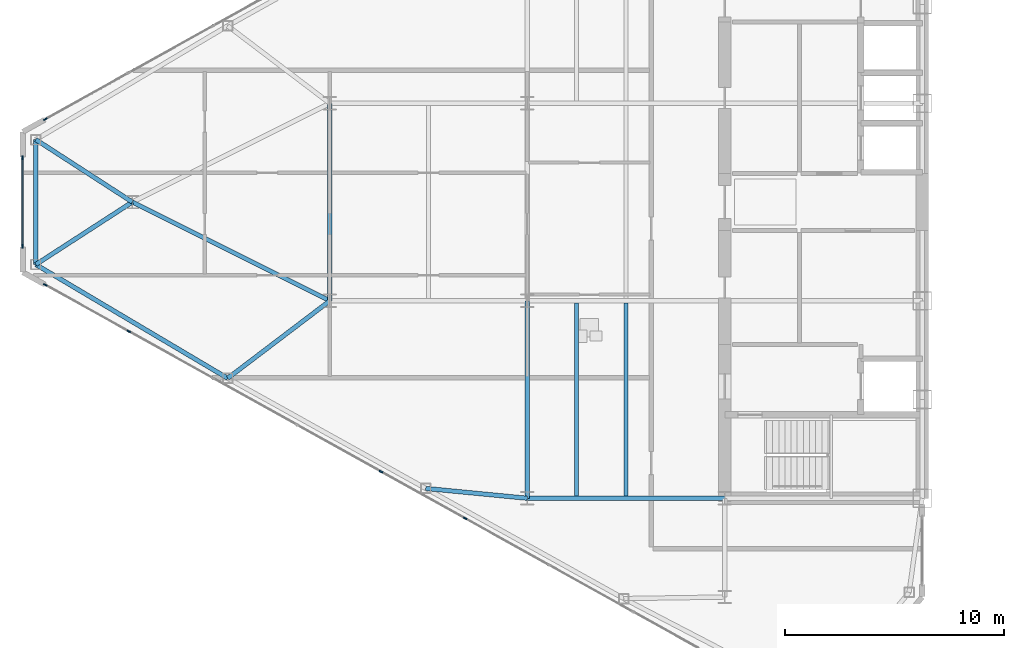
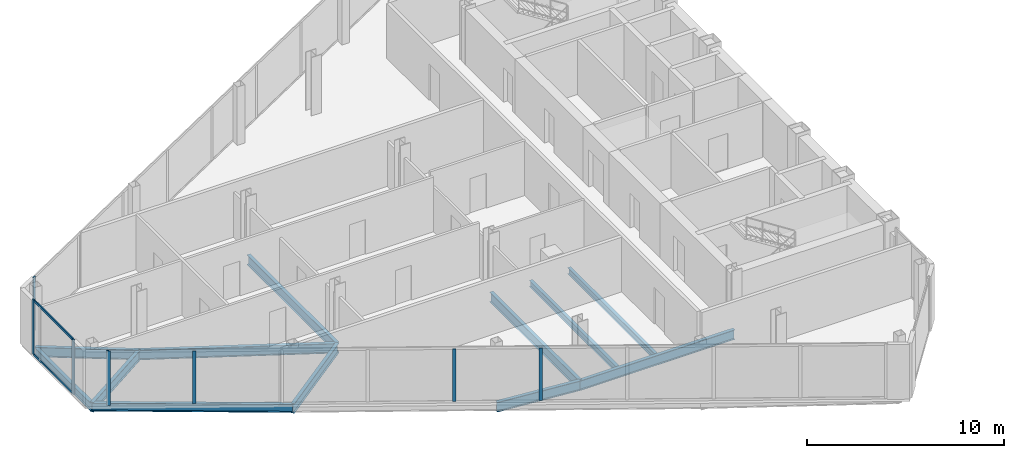
# One storey, part 5 of 26: 12 beams, 9 members, 3 elements without a shape of their own.
"""IFC4 building model written with IfcOpenShell, lengths in metres."""

from ifc_helpers import new_model, si_unit, direction, frame, origin, origin_2d, place, context, subcontext, project, spatial, rectangle, i_section, extrude, source, transform, mapped, material, layer, layer_set, material_profile, profile_set, type_object, type_shapes, element, aggregate, save


model = new_model("IFC4")

# Units and contexts
model_context = context("Model", 3, precision=1e-05, world=origin(), true_north=direction((0.0, 1.0)))
body_context = subcontext(model_context, "Body", "Model", "MODEL_VIEW")
ifc_project = project(units=[si_unit("LENGTHUNIT", "METRE"), si_unit("AREAUNIT", "SQUARE_METRE"), si_unit("VOLUMEUNIT", "CUBIC_METRE"), si_unit("PLANEANGLEUNIT", "RADIAN"), si_unit("MASSUNIT", "GRAM", prefix="KILO")], contexts=[model_context])

# Site, building, storey
site_placement = place(None, origin())
site = spatial("IfcSite", under=ifc_project, at=site_placement, CompositionType="ELEMENT")
building_placement = place(site_placement, origin())
building = spatial("IfcBuilding", under=site, at=building_placement, Name="Seokmaru Belvedere", CompositionType="ELEMENT")
storey_placement = place(building_placement, frame((0.0, 0.0, 170.699951171875)))
storey = spatial("IfcBuildingStorey", under=building, at=storey_placement, Name="L45", CompositionType="ELEMENT", Elevation=170.699951171875)

# Beams
ifc_material_1 = material(Name="Steel SM355 (355 MPa)", Category="steel")
ifc_material_profile_1 = material_profile(ifc_material_1, i_section(OverallWidth=0.199951171875, OverallDepth=0.60009765625, WebThickness=0.010986328125, FlangeThickness=0.01708984375, at=origin_2d()), Name="H-600x200x11x17")
ifc_profile_set_1 = profile_set([ifc_material_profile_1], Name="Steel SM355 (355 MPa)")
beam_type_1 = type_object("IfcBeamType", Name="Primary Floor Girder H-600", PredefinedType="BEAM", material=ifc_profile_set_1)
shared_shape_1 = source(origin(), body_context, "Body", "SweptSolid", [
    extrude(i_section(OverallWidth=0.199951171875, OverallDepth=0.60009765625, WebThickness=0.010986328125, FlangeThickness=0.01708984375, at=origin_2d()), origin(), (0.0, 0.0, 1.0), 9.0),
])
for number, where, z_axis, x_axis, name in (
    (1, (-45.5, -13.5, -0.52001953125), (0.0, 1.0, 0.0), (-1.0, 0.0, 0.0), "L45 W Interior Grid Girder 1"),
    (2, (-45.5, -13.5, -0.52001953125), (1.0, 0.0, 0.0), (0.0, 1.0, 0.0), "L45 W Wing Primary Girder 1"),
    (3, (-54.5, -4.5, -0.52001953125), (0.0, 1.0, 0.0), (-1.0, 0.0, 0.0), "L45 W Apex Frame Girder"),
):
    element("IfcBeam", number, at=place(storey_placement, frame(where, z_axis=z_axis, x_axis=x_axis)), inside=storey, type_object=beam_type_1, Name=name, PredefinedType="BEAM", context=body_context, shape_type="MappedRepresentation", body=[
        mapped(shared_shape_1, transform((0.0, 0.0, 0.0), scale=1.0)),
    ])
shared_shape_2 = source(origin(), body_context, "Body", "SweptSolid", [
    extrude(i_section(OverallWidth=0.199951171875, OverallDepth=0.60009765625, WebThickness=0.010986328125, FlangeThickness=0.01708984375, at=origin_2d()), origin(), (0.0, 0.0, 1.0), 10.062255859375),
])
beam_1_placement = place(storey_placement, frame((-54.5, -4.5, -0.52001953125), z_axis=(-0.894427191, 0.4472135955, 0.0), x_axis=(-0.4472135955, -0.894427191, 0.0)))
element("IfcBeam", 4, at=beam_1_placement, inside=storey, type_object=beam_type_1, Name="L45 W Apex Converging Girder 1", PredefinedType="BEAM", context=body_context, shape_type="MappedRepresentation", body=[
    mapped(shared_shape_2, transform((0.0, 0.0, 0.0), scale=1.0)),
])
ifc_material_profile_2 = material_profile(ifc_material_1, i_section(OverallWidth=0.18505859375, OverallDepth=0.389892578125, WebThickness=0.008056640625, FlangeThickness=0.011962890625, at=origin_2d()), Name="H-390x185x8x12")
ifc_profile_set_2 = profile_set([ifc_material_profile_2], Name="Steel SM355 (355 MPa)")
beam_type_2 = type_object("IfcBeamType", Name="Secondary Floor Joist H-350", PredefinedType="JOIST", material=ifc_profile_set_2)
shared_shape_3 = source(origin(), body_context, "Body", "SweptSolid", [
    extrude(i_section(OverallWidth=0.18505859375, OverallDepth=0.389892578125, WebThickness=0.008056640625, FlangeThickness=0.011962890625, at=origin_2d()), origin(), (0.0, 0.0, 1.0), 8.7900390625),
])
type_shapes(beam_type_2, [shared_shape_3])
for number, where, z_axis, x_axis, name in (
    (5, (-43.25, -13.39501953125, -0.4150390625), (0.0, 1.0, 0.0), (-1.0, 0.0, 0.0), "L45 W Wing Inner Secondary Joist 1"),
    (6, (-41.0, -13.39501953125, -0.4150390625), (0.0, 1.0, 0.0), (-1.0, 0.0, 0.0), "L45 W Secondary Floor Joist 1"),
):
    element("IfcBeam", number, at=place(storey_placement, frame(where, z_axis=z_axis, x_axis=x_axis)), inside=storey, type_object=beam_type_2, Name=name, PredefinedType="JOIST", context=body_context, shape_type="MappedRepresentation", body=[
        mapped(shared_shape_3, transform((0.0, 0.0, 0.0), scale=1.0)),
    ])
ifc_material_profile_3 = material_profile(ifc_material_1, i_section(OverallWidth=0.199951171875, OverallDepth=0.5, WebThickness=0.010009765625, FlangeThickness=0.01611328125, at=origin_2d()), Name="H-500x200x10x16")
ifc_profile_set_3 = profile_set([ifc_material_profile_3], Name="Steel SM355 (355 MPa)")
beam_type_3 = type_object("IfcBeamType", Name="Perimeter Spandrel Beam H-500", PredefinedType="SPANDREL", material=ifc_profile_set_3)
shared_shape_4 = source(origin(), body_context, "Body", "SweptSolid", [
    extrude(i_section(OverallWidth=0.199951171875, OverallDepth=0.5, WebThickness=0.010009765625, FlangeThickness=0.01611328125, at=origin_2d()), origin(), (0.0, 0.0, 1.0), 10.16650390625),
])
beam_2_placement = place(storey_placement, frame((-59.154541015625, -8.031494140625, -0.469970703125), z_axis=(-0.860209996506, 0.509939959124, 0.0), x_axis=(-0.509939959124, -0.860209996506, 0.0)))
element("IfcBeam", 7, at=beam_2_placement, inside=storey, type_object=beam_type_3, Name="L45 W Faceted Flank Spandrel S-4", PredefinedType="SPANDREL", context=body_context, shape_type="MappedRepresentation", body=[
    mapped(shared_shape_4, transform((0.0, 0.0, 0.0), scale=1.0)),
])
shared_shape_5 = source(origin(), body_context, "Body", "SweptSolid", [
    extrude(i_section(OverallWidth=0.199951171875, OverallDepth=0.5, WebThickness=0.010009765625, FlangeThickness=0.01611328125, at=origin_2d()), origin(), (0.0, 0.0, 1.0), 5.6943359375),
])
type_shapes(beam_type_3, [shared_shape_4, shared_shape_5])
beam_3_placement = place(storey_placement, frame((-67.89990234375, -2.84716796875, -0.469970703125), z_axis=(0.0, 1.0, 0.0), x_axis=(-1.0, 0.0, 0.0)))
element("IfcBeam", 8, at=beam_3_placement, inside=storey, type_object=beam_type_3, Name="L45 W Faceted Apex Spandrel", PredefinedType="SPANDREL", context=body_context, shape_type="MappedRepresentation", body=[
    mapped(shared_shape_5, transform((0.0, 0.0, 0.0), scale=1.0)),
])
shared_shape_6 = source(origin(), body_context, "Body", "SweptSolid", [
    extrude(i_section(OverallWidth=0.199951171875, OverallDepth=0.60009765625, WebThickness=0.010986328125, FlangeThickness=0.01708984375, at=origin_2d()), origin(), (0.0, 0.0, 1.0), 4.65087890625),
])
beam_4_placement = place(storey_placement, frame((-50.129150390625, -13.051025390625, -0.52001953125), z_axis=(0.995329534874, -0.09653557379, 0.0), x_axis=(0.09653557379, 0.995329534874, 0.0)))
element("IfcBeam", 9, at=beam_4_placement, inside=storey, type_object=beam_type_1, Name="L45 W Flank Radial Floor Girder S-2", PredefinedType="BEAM", context=body_context, shape_type="MappedRepresentation", body=[
    mapped(shared_shape_6, transform((0.0, 0.0, 0.0), scale=1.0)),
])
shared_shape_7 = source(origin(), body_context, "Body", "SweptSolid", [
    extrude(i_section(OverallWidth=0.199951171875, OverallDepth=0.60009765625, WebThickness=0.010986328125, FlangeThickness=0.01708984375, at=origin_2d()), origin(), (0.0, 0.0, 1.0), 5.842529296875),
])
beam_5_placement = place(storey_placement, frame((-59.154541015625, -8.031494140625, -0.52001953125), z_axis=(0.796653109879, 0.604436781243, 0.0), x_axis=(-0.604436781243, 0.796653109879, 0.0)))
element("IfcBeam", 10, at=beam_5_placement, inside=storey, type_object=beam_type_1, Name="L45 W Flank Radial Floor Girder S-3", PredefinedType="BEAM", context=body_context, shape_type="MappedRepresentation", body=[
    mapped(shared_shape_7, transform((0.0, 0.0, 0.0), scale=1.0)),
])
shared_shape_8 = source(origin(), body_context, "Body", "SweptSolid", [
    extrude(i_section(OverallWidth=0.199951171875, OverallDepth=0.60009765625, WebThickness=0.010986328125, FlangeThickness=0.01708984375, at=origin_2d()), origin(), (0.0, 0.0, 1.0), 5.24072265625),
])
type_shapes(beam_type_1, [shared_shape_1, shared_shape_2, shared_shape_6, shared_shape_7, shared_shape_8])
for number, where, z_axis, x_axis, name in (
    (11, (-67.89990234375, -2.84716796875, -0.52001953125), (0.839555158729, 0.543274456836, 0.0), (-0.543274456836, 0.839555158729, 0.0), "L45 W Apex Radial Floor Girder 1"),
    (12, (-67.89990234375, 2.84716796875, -0.52001953125), (0.839555158729, -0.543274456836, 0.0), (0.543274456836, 0.839555158729, 0.0), "L45 W Apex Radial Floor Girder 2"),
):
    element("IfcBeam", number, at=place(storey_placement, frame(where, z_axis=z_axis, x_axis=x_axis)), inside=storey, type_object=beam_type_1, Name=name, PredefinedType="BEAM", context=body_context, shape_type="MappedRepresentation", body=[
        mapped(shared_shape_8, transform((0.0, 0.0, 0.0), scale=1.0)),
    ])

# Curtain wall, members
ifc_material_2 = material(Name="Bronze Triple Insulating Glass", Category="glass")
ifc_layer = layer(ifc_material_2, 0.179931640625)
ifc_layer_set = layer_set([ifc_layer], Name="Bronze Triple Insulating Glass")
curtain_wall_type = type_object("IfcCurtainWallType", Name="High-Rise Wind-Corner Curtain Wall System CW-5", PredefinedType="NOTDEFINED", material=ifc_layer_set)
curtain_wall_1_placement = place(storey_placement, origin())
curtain_wall_1 = element("IfcCurtainWall", 13, at=curtain_wall_1_placement, inside=storey, type_object=curtain_wall_type, Name="L45 Curtain Wall WF4", PredefinedType="NOTDEFINED")
ifc_material_3 = material(Name="Anodised Bronze Aluminium", Category="aluminium")
ifc_material_profile_4 = material_profile(ifc_material_3, rectangle(XDim=0.06494140625, YDim=0.14990234375, at=origin_2d()), Name="CW-T-65x150")
ifc_profile_set_4 = profile_set([ifc_material_profile_4], Name="Anodised Bronze Aluminium")
member_type_1 = type_object("IfcMemberType", Name="Bronze Unitised Transom 65x150", PredefinedType="USERDEFINED", material=ifc_profile_set_4)
shared_shape_9 = source(origin(), body_context, "Body", "SweptSolid", [
    extrude(rectangle(XDim=0.06494140625, YDim=0.14990234375, at=origin_2d()), origin(), (0.0, 0.0, 1.0), 3.97021484375),
])
type_shapes(member_type_1, [shared_shape_9])
member_1_placement = place(storey_placement, frame((-68.5, 1.985107421875, 0.032470703125), z_axis=(0.0, -1.0, 0.0), x_axis=(1.0, 0.0, 0.0)))
member_1 = element("IfcMember", 14, at=member_1_placement, type_object=member_type_1, Name="CW:L45:WF4 Continuous Transom 1", ObjectType="TRANSOM", PredefinedType="USERDEFINED", context=body_context, shape_type="MappedRepresentation", body=[
    mapped(shared_shape_9, transform((0.0, 0.0, 0.0), scale=1.0)),
])
member_2_placement = place(storey_placement, frame((-68.5, 1.985107421875, 3.34765625), z_axis=(0.0, -1.0, 0.0), x_axis=(1.0, 0.0, 0.0)))
member_2 = element("IfcMember", 15, at=member_2_placement, type_object=member_type_1, Name="CW:L45:WF4 Continuous Transom 2", ObjectType="TRANSOM", PredefinedType="USERDEFINED", context=body_context, shape_type="MappedRepresentation", body=[
    mapped(shared_shape_9, transform((0.0, 0.0, 0.0), scale=1.0)),
])

curtain_wall_2_placement = place(storey_placement, origin())
curtain_wall_2 = element("IfcCurtainWall", 16, at=curtain_wall_2_placement, inside=storey, type_object=curtain_wall_type, Name="L45 Curtain Wall WF5", PredefinedType="NOTDEFINED")
ifc_material_profile_5 = material_profile(ifc_material_3, rectangle(XDim=0.06494140625, YDim=0.179931640625, at=origin_2d()), Name="CW-M-65x180")
ifc_profile_set_5 = profile_set([ifc_material_profile_5], Name="Anodised Bronze Aluminium")
member_type_2 = type_object("IfcMemberType", Name="Bronze Unitised Mullion 65x180", PredefinedType="MULLION", material=ifc_profile_set_5)
shared_shape_10 = source(origin(), body_context, "Body", "SweptSolid", [
    extrude(rectangle(XDim=0.06494140625, YDim=0.179931640625, at=origin_2d()), origin(), (0.0, 0.0, 1.0), 3.25),
])
member_3_placement = place(storey_placement, frame((-63.662841796875, -5.890380859375, 0.06494140625), z_axis=(0.0, 0.0, 1.0), x_axis=(0.486047125147, 0.873932601598, 0.0)))
member_3 = element("IfcMember", 17, at=member_3_placement, type_object=member_type_2, Name="CW:L45:WF5 Mullion 2", PredefinedType="MULLION", context=body_context, shape_type="MappedRepresentation", body=[
    mapped(shared_shape_10, transform((0.0, 0.0, 0.0), scale=1.0)),
])
member_4_placement = place(storey_placement, frame((-52.166015625, -12.2841796875, 0.06494140625), z_axis=(0.0, 0.0, 1.0), x_axis=(0.486047125147, 0.873932601598, 0.0)))
member_4 = element("IfcMember", 18, at=member_4_placement, type_object=member_type_2, Name="CW:L45:WF5 Mullion 5", PredefinedType="MULLION", context=body_context, shape_type="MappedRepresentation", body=[
    mapped(shared_shape_10, transform((0.0, 0.0, 0.0), scale=1.0)),
])
member_5_placement = place(storey_placement, frame((-48.333984375, -14.415771484375, 0.06494140625), z_axis=(0.0, 0.0, 1.0), x_axis=(0.486047125147, 0.873932601598, 0.0)))
member_5 = element("IfcMember", 19, at=member_5_placement, type_object=member_type_2, Name="CW:L45:WF5 Mullion 6", PredefinedType="MULLION", context=body_context, shape_type="MappedRepresentation", body=[
    mapped(shared_shape_10, transform((0.0, 0.0, 0.0), scale=1.0)),
])

# Curtain wall, member
curtain_wall_3_placement = place(storey_placement, origin())
curtain_wall_3 = element("IfcCurtainWall", 20, at=curtain_wall_3_placement, inside=storey, type_object=curtain_wall_type, Name="L45 Curtain Wall WF3", PredefinedType="NOTDEFINED")
shared_shape_11 = source(origin(), body_context, "Body", "SweptSolid", [
    extrude(rectangle(XDim=0.06494140625, YDim=0.179931640625, at=origin_2d()), origin(), (0.0, 0.0, 1.0), 3.380126953125),
])
type_shapes(member_type_2, [shared_shape_10, shared_shape_11])
member_6_placement = place(storey_placement, frame((-67.466552734375, 3.77490234375, 0.0), z_axis=(0.0, 0.0, 1.0), x_axis=(0.486047125147, -0.873932601598, 0.0)))
member_6 = element("IfcMember", 21, at=member_6_placement, type_object=member_type_2, Name="CW:L45:WF3 Mullion 10", PredefinedType="MULLION", context=body_context, shape_type="MappedRepresentation", body=[
    mapped(shared_shape_11, transform((0.0, 0.0, 0.0), scale=1.0)),
])
aggregate(curtain_wall_3, [member_6])

# Member
member_7_placement = place(storey_placement, frame((-68.5, 2.017578125, 0.0), z_axis=(0.0, 0.0, 1.0), x_axis=(1.0, 0.0, 0.0)))
member_7 = element("IfcMember", 22, at=member_7_placement, type_object=member_type_2, Name="CW:L45:WF4 Mullion 1", PredefinedType="MULLION", context=body_context, shape_type="MappedRepresentation", body=[
    mapped(shared_shape_11, transform((0.0, 0.0, 0.0), scale=1.0)),
])

member_8_placement = place(storey_placement, frame((-68.5, -2.017578125, 0.0), z_axis=(0.0, 0.0, 1.0), x_axis=(1.0, 0.0, 0.0)))
member_8 = element("IfcMember", 23, at=member_8_placement, type_object=member_type_2, Name="CW:L45:WF4 Mullion 2", PredefinedType="MULLION", context=body_context, shape_type="MappedRepresentation", body=[
    mapped(shared_shape_11, transform((0.0, 0.0, 0.0), scale=1.0)),
])

aggregate(curtain_wall_1, [member_7, member_8, member_1, member_2])

member_9_placement = place(storey_placement, frame((-67.466552734375, -3.77490234375, 0.0), z_axis=(0.0, 0.0, 1.0), x_axis=(0.486047125147, 0.873932601598, 0.0)))
member_9 = element("IfcMember", 24, at=member_9_placement, type_object=member_type_2, Name="CW:L45:WF5 Mullion 1", PredefinedType="MULLION", context=body_context, shape_type="MappedRepresentation", body=[
    mapped(shared_shape_11, transform((0.0, 0.0, 0.0), scale=1.0)),
])

aggregate(curtain_wall_2, [member_9, member_3, member_4, member_5])

save(model, "model.ifc")
